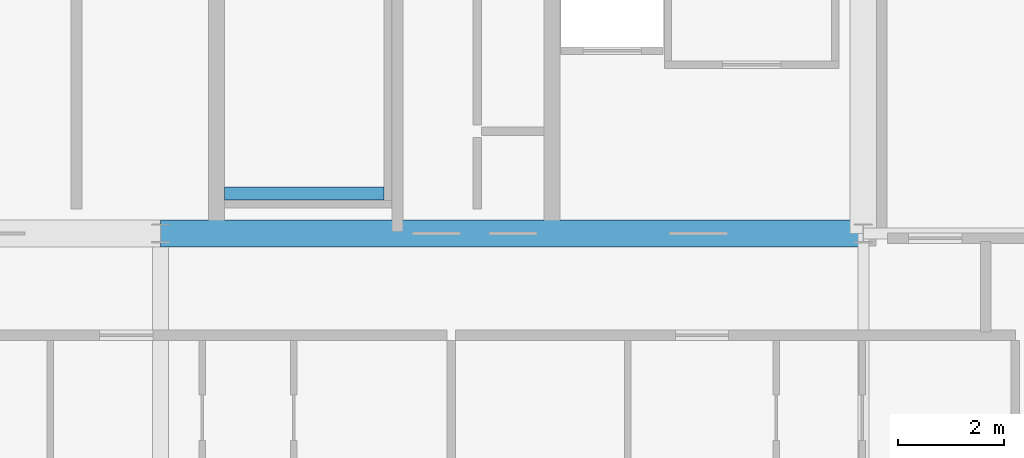
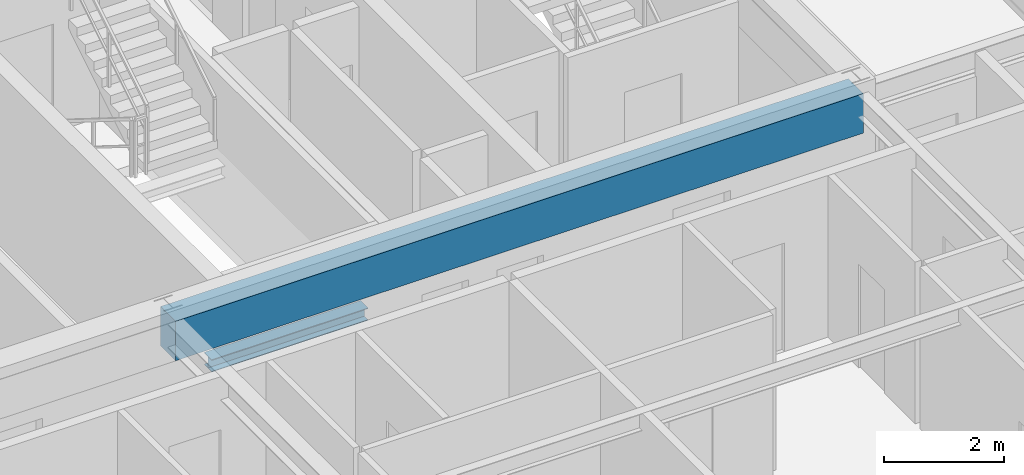
# One storey, part 10 of 35: 2 beams.
"""IFC4 building model written with IfcOpenShell, lengths in metres."""

from ifc_helpers import new_model, si_unit, direction, frame, origin, origin_2d, place, context, subcontext, project, spatial, rectangle, i_section, extrude, source, transform, mapped, material, material_profile, profile_set, type_object, element, save


model = new_model("IFC4")

# Units and contexts
model_context = context("Model", 3, precision=1e-05, world=origin(), true_north=direction((0.0, 1.0)))
body_context = subcontext(model_context, "Body", "Model", "MODEL_VIEW")
ifc_project = project(units=[si_unit("LENGTHUNIT", "METRE"), si_unit("AREAUNIT", "SQUARE_METRE"), si_unit("VOLUMEUNIT", "CUBIC_METRE"), si_unit("PLANEANGLEUNIT", "RADIAN"), si_unit("MASSUNIT", "GRAM", prefix="KILO"), si_unit("THERMODYNAMICTEMPERATUREUNIT", "KELVIN"), si_unit("POWERUNIT", "WATT")], contexts=[model_context])

# Site, building, storey
site_placement = place(None, origin())
site = spatial("IfcSite", under=ifc_project, at=site_placement, CompositionType="ELEMENT")
building_placement = place(site_placement, origin())
building = spatial("IfcBuilding", under=site, at=building_placement, Name="Yuzanri Waterfront Tower", CompositionType="ELEMENT")
storey_placement = place(building_placement, frame((0.0, 0.0, 289.10009765625)))
storey = spatial("IfcBuildingStorey", under=building, at=storey_placement, Name="L77", CompositionType="ELEMENT", Elevation=289.10009765625)

# Beams
ifc_material_1 = material(Name="Concrete C50", Category="concrete")
ifc_material_profile_1 = material_profile(ifc_material_1, rectangle(XDim=0.5, YDim=0.800048828125, at=origin_2d()), Name="RC 500x800")
ifc_profile_set_1 = profile_set([ifc_material_profile_1], Name="Concrete C50")
beam_type_1 = type_object("IfcBeamType", Name="Core Coupling Lintel Concrete C50 500x800", PredefinedType="LINTEL", material=ifc_profile_set_1)
shared_shape_1 = source(origin(), body_context, "Body", "SweptSolid", [
    extrude(rectangle(XDim=0.5, YDim=0.800048828125, at=origin_2d()), origin(), (0.0, 0.0, 1.0), 13.199951171875),
])
beam_1_placement = place(storey_placement, frame((37.0, 19.39990234375, 2.8798828125), z_axis=(1.0, 0.0, 0.0), x_axis=(0.0, 1.0, 0.0)))
element("IfcBeam", 1, at=beam_1_placement, inside=storey, type_object=beam_type_1, Name="L77 Core Tie Beam CS2", PredefinedType="LINTEL", context=body_context, shape_type="MappedRepresentation", body=[
    mapped(shared_shape_1, transform((0.0, 0.0, 0.0), scale=1.0)),
])
ifc_material_2 = material(Name="Steel Q355B", Category="steel")
ifc_material_profile_2 = material_profile(ifc_material_2, i_section(OverallWidth=0.25, OverallDepth=0.25, WebThickness=0.009033203125, FlangeThickness=0.013916015625, at=origin_2d()), Name="HW 250x250x9x14")
ifc_profile_set_2 = profile_set([ifc_material_profile_2], Name="Steel Q355B")
beam_type_2 = type_object("IfcBeamType", Name="Stair Landing Support Beam Q355B HW 250x250", PredefinedType="BEAM", material=ifc_profile_set_2)
shared_shape_2 = source(origin(), body_context, "Body", "SweptSolid", [
    extrude(i_section(OverallWidth=0.25, OverallDepth=0.25, WebThickness=0.009033203125, FlangeThickness=0.013916015625, at=origin_2d()), origin(), (0.0, 0.0, 1.0), 3.0),
])
beam_2_placement = place(storey_placement, frame((38.199951171875, 20.14990234375, 1.4248046875), z_axis=(1.0, 0.0, 0.0), x_axis=(0.0, 1.0, 0.0)))
element("IfcBeam", 2, at=beam_2_placement, inside=storey, type_object=beam_type_2, Name="L77 Stair Landing Support Beam ST-03-L77-L1-1", PredefinedType="BEAM", context=body_context, shape_type="MappedRepresentation", body=[
    mapped(shared_shape_2, transform((0.0, 0.0, 0.0), scale=1.0)),
])

save(model, "model.ifc")
